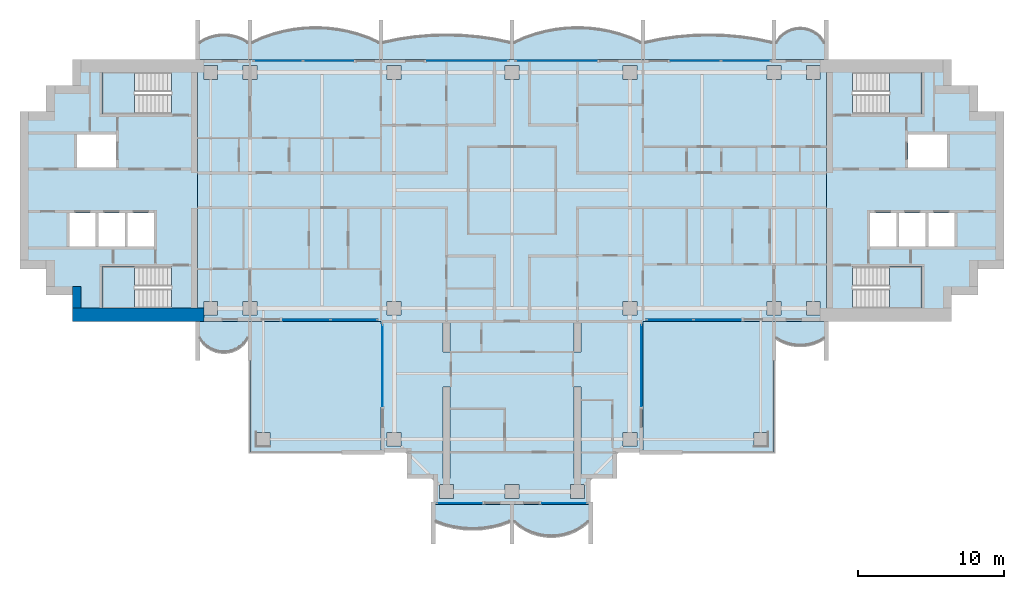
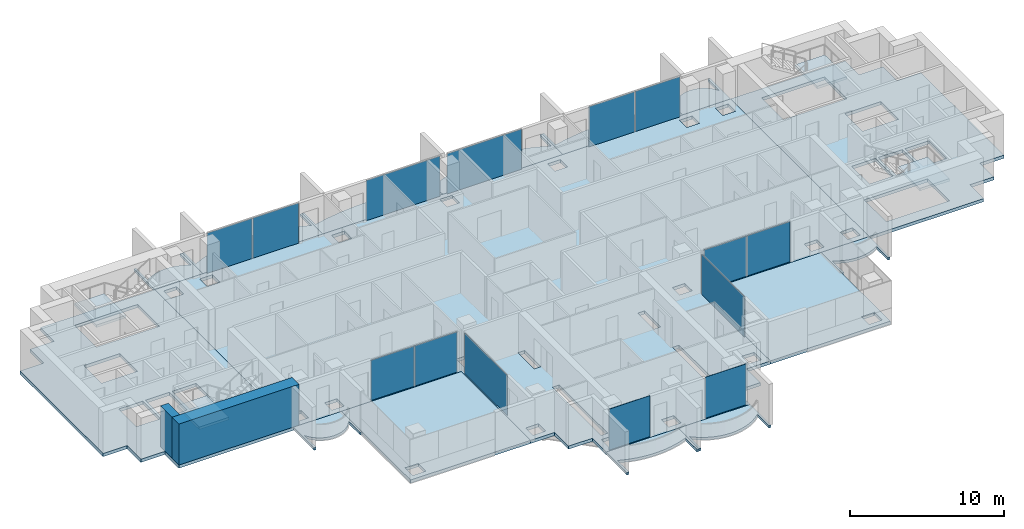
# One storey, part 7 of 17: 19 slabs, 14 plates, 2 walls, 14 elements without a shape of their own.
"""IFC4 building model written with IfcOpenShell, lengths in metres."""

import ifcopenshell
import ifcopenshell.guid

model = None  # the IFC model being written
_history = None  # IfcOwnerHistory: only IFC2X3 demands one
_inside = {}  # id of a spatial element -> (the spatial element, [elements in it])
_under = {}  # id of a project, library or spatial element -> (it, [spatial elements below it])
_declared = {}  # id of a project -> (the project, [libraries it declares])
_typed = {}  # id of a type object -> (the type object, [elements of that type])
_made_of = {}  # id of a material, layer set ... -> (it, [elements and type objects made of it])


def new_model(schema):
    """Start an empty IFC model of exactly this schema.

    Asked for "IFC4X3", IfcOpenShell would pick the latest addendum, in which some entities
    have other attributes; the version numbers below select the first issue.
    IFC2X3 requires an IfcOwnerHistory on every rooted entity: one is made here for all.
    """
    global model, _history
    if schema == "IFC4X3":
        model = ifcopenshell.file(schema_version=(4, 3, 0, 0))
    else:
        model = ifcopenshell.file(schema=schema)
    _inside.clear()
    _under.clear()
    _declared.clear()
    _typed.clear()
    _made_of.clear()
    _history = None
    if model.schema == "IFC2X3":
        org = make("IfcOrganization", Name="unknown")
        user = make(
            "IfcPersonAndOrganization",
            ThePerson=make("IfcPerson", FamilyName="unknown"),
            TheOrganization=org,
        )
        app = make(
            "IfcApplication",
            ApplicationDeveloper=org,
            Version="unknown",
            ApplicationFullName="unknown",
            ApplicationIdentifier="unknown",
        )
        _history = make(
            "IfcOwnerHistory",
            OwningUser=user,
            OwningApplication=app,
            ChangeAction="ADDED",
            CreationDate=0,
        )
    return model


def make(cls, **values):
    """One entity of the class cls with the attributes given. An attribute that is None is left unset."""
    return model.create_entity(
        cls, **{name: value for name, value in values.items() if value is not None}
    )


def rooted(cls, **values):
    """An entity with a GlobalId (a new one), such as an element, a storey or a relation."""
    return make(cls, GlobalId=ifcopenshell.guid.new(), OwnerHistory=_history, **values)


def si_unit(unit_type, name, prefix=None):
    """IfcSIUnit, for example si_unit("LENGTHUNIT", "METRE", prefix="MILLI")."""
    return make("IfcSIUnit", UnitType=unit_type, Prefix=prefix, Name=name)


def assignment(units):
    """IfcUnitAssignment: the units of a project."""
    return None if units is None else make("IfcUnitAssignment", Units=units)


def point(xyz):
    """IfcCartesianPoint."""
    return None if xyz is None else make("IfcCartesianPoint", Coordinates=xyz)


def direction(xyz):
    """IfcDirection."""
    return None if xyz is None else make("IfcDirection", DirectionRatios=xyz)


def frame(location, z_axis=None, x_axis=None):
    """IfcAxis2Placement3D, a coordinate frame: its origin and axes. An axis left out is left unset."""
    return make(
        "IfcAxis2Placement3D",
        Location=point(location),
        Axis=direction(z_axis),
        RefDirection=direction(x_axis),
    )


def frame_2d(location, x_axis=None):
    """IfcAxis2Placement2D, a coordinate frame in the plane: its origin and x axis."""
    return make(
        "IfcAxis2Placement2D", Location=point(location), RefDirection=direction(x_axis)
    )


def origin():
    """The frame at (0, 0, 0) with its axes left unset."""
    return frame((0.0, 0.0, 0.0))


def origin_2d():
    """The frame at (0, 0) in the plane with its x axis left unset."""
    return frame_2d((0.0, 0.0))


def place(relative_to, where):
    """IfcLocalPlacement: puts the frame where relative to a parent placement (None: the world)."""
    return make(
        "IfcLocalPlacement", PlacementRelTo=relative_to, RelativePlacement=where
    )


def context(
    kind, dimensions, precision=None, world=None, true_north=None, identifier=None
):
    """IfcGeometricRepresentationContext, for example the 3D "Model" context."""
    return make(
        "IfcGeometricRepresentationContext",
        ContextIdentifier=identifier,
        ContextType=kind,
        CoordinateSpaceDimension=dimensions,
        Precision=precision,
        WorldCoordinateSystem=world,
        TrueNorth=true_north,
    )


def subcontext(parent, identifier, kind, view, scale=None):
    """IfcGeometricRepresentationSubContext, for example "Body" below "Model"."""
    return make(
        "IfcGeometricRepresentationSubContext",
        ContextIdentifier=identifier,
        ContextType=kind,
        ParentContext=parent,
        TargetScale=scale,
        TargetView=view,
    )


def project(units=None, contexts=None):
    """IfcProject with its units and contexts."""
    return rooted(
        "IfcProject",
        Name="project",
        RepresentationContexts=contexts,
        UnitsInContext=assignment(units),
    )


def spatial(cls, under=None, at=None, **own):
    """A site, building, storey or space (cls), placed at a placement, below another one or the project."""
    s = rooted(cls, ObjectPlacement=at, **own)
    if under is not None:
        _under.setdefault(under.id(), (under, []))[1].append(s)
    return s


def polyline(points):
    """IfcPolyline through the points."""
    return make("IfcPolyline", Points=[point(p) for p in points])


def profile(cls, at=None, kind="AREA", **sizes):
    """A parametric profile (cls). Its sizes go by their IFC names, for example OverallWidth=200.0."""
    return make(cls, ProfileType=kind, Position=at, **sizes)


def rectangle(**sizes):
    """IfcRectangleProfileDef."""
    return profile("IfcRectangleProfileDef", **sizes)


def outline(outer, holes=None, kind="AREA"):
    """IfcArbitraryClosedProfileDef: a profile drawn as a closed curve; with holes, ...WithVoids."""
    if holes is None:
        return make("IfcArbitraryClosedProfileDef", ProfileType=kind, OuterCurve=outer)
    return make(
        "IfcArbitraryProfileDefWithVoids",
        ProfileType=kind,
        OuterCurve=outer,
        InnerCurves=holes,
    )


def extrude(swept, where, along, depth):
    """IfcExtrudedAreaSolid: the profile swept, set in the frame where, extruded along a direction by depth."""
    return make(
        "IfcExtrudedAreaSolid",
        SweptArea=swept,
        Position=where,
        ExtrudedDirection=direction(along),
        Depth=depth,
    )


def shape(context_of_items, identifier, shape_type, items):
    """IfcShapeRepresentation: the items that make up one representation, for example the "Body"."""
    return make(
        "IfcShapeRepresentation",
        ContextOfItems=context_of_items,
        RepresentationIdentifier=identifier,
        RepresentationType=shape_type,
        Items=items,
    )


def material(Name=None, Category=None):
    """IfcMaterial."""
    return make("IfcMaterial", Name=Name, Category=Category)


def layer(
    of_material, thickness, ventilated=None, Name=None, Category=None, Priority=None
):
    """IfcMaterialLayer: one layer of a wall or slab, of a material (None: an air gap)."""
    return make(
        "IfcMaterialLayer",
        Material=of_material,
        LayerThickness=thickness,
        IsVentilated=ventilated,
        Name=Name,
        Category=Category,
        Priority=Priority,
    )


def layer_set(layers, Name=None):
    """IfcMaterialLayerSet."""
    return make("IfcMaterialLayerSet", MaterialLayers=layers, LayerSetName=Name)


def made_of(thing, what):
    """Note that an element or type object is made of a material, layer set ...; save() writes the relation."""
    if what is not None:
        _made_of.setdefault(what.id(), (what, []))[1].append(thing)
    return thing


def type_object(cls, material=None, **own):
    """A type object (cls), such as IfcWallType, which elements share."""
    return made_of(rooted(cls, **own), material)


def element(
    cls,
    number,
    at=None,
    inside=None,
    cuts=None,
    type_object=None,
    material=None,
    context=None,
    identifier="Body",
    shape_type=None,
    held_by="IfcProductDefinitionShape",
    body=None,
    shapes=None,
    **own,
):
    """One element of the class cls, such as IfcWall. Its Tag is "e" and its number.

    at: its placement. inside: the storey or other place that contains it. cuts: it is an
    opening in that element (IfcRelVoidsElement). A single representation is given by context,
    identifier, shape_type and body (its items); several are given by shapes. held_by: the class
    of the entity that holds the representations. save() writes the other relations.
    """
    e = rooted(cls, Tag="e%d" % number, ObjectPlacement=at, **own)
    if body is not None:
        shapes = [shape(context, identifier, shape_type, body)]
    if shapes is not None:
        e.Representation = make(held_by, Representations=shapes)
    if inside is not None:
        _inside.setdefault(inside.id(), (inside, []))[1].append(e)
    if cuts is not None:
        rooted(
            "IfcRelVoidsElement", RelatingBuildingElement=cuts, RelatedOpeningElement=e
        )
    if type_object is not None:
        _typed.setdefault(type_object.id(), (type_object, []))[1].append(e)
    return made_of(e, material)


def aggregate(whole, parts):
    """IfcRelAggregates: a whole, such as a stair, and the parts it consists of."""
    return rooted("IfcRelAggregates", RelatingObject=whole, RelatedObjects=parts)


def save(model, path):
    """Write the relations noted so far, then the file.

    IfcRelAggregates (storeys below a building ...), IfcRelContainedInSpatialStructure (elements
    in a storey), IfcRelDefinesByType, IfcRelAssociatesMaterial and IfcRelDeclares: one each for
    every whole, place, type object, material and project.
    """
    for whole, parts in _under.values():
        aggregate(whole, parts)
    for where, things in _inside.values():
        rooted(
            "IfcRelContainedInSpatialStructure",
            RelatedElements=things,
            RelatingStructure=where,
        )
    for kind, things in _typed.values():
        rooted("IfcRelDefinesByType", RelatedObjects=things, RelatingType=kind)
    for what, things in _made_of.values():
        rooted("IfcRelAssociatesMaterial", RelatedObjects=things, RelatingMaterial=what)
    for by, libraries in _declared.values():
        rooted("IfcRelDeclares", RelatingContext=by, RelatedDefinitions=libraries)
    model.write(path)


model = new_model("IFC4")

# Units and contexts
model_context = context("Model", 3, precision=1e-05, world=origin(), true_north=direction((0.0, 1.0)))
body_context = subcontext(model_context, "Body", "Model", "MODEL_VIEW")
ifc_project = project(units=[si_unit("LENGTHUNIT", "METRE"), si_unit("AREAUNIT", "SQUARE_METRE"), si_unit("VOLUMEUNIT", "CUBIC_METRE"), si_unit("PLANEANGLEUNIT", "RADIAN"), si_unit("MASSUNIT", "GRAM", prefix="KILO")], contexts=[model_context])

# Site, building, storey
site_placement = place(None, origin())
site = spatial("IfcSite", under=ifc_project, at=site_placement, CompositionType="ELEMENT")
building_placement = place(site_placement, origin())
building = spatial("IfcBuilding", under=site, at=building_placement, Name="Perihelion Cross Residences", CompositionType="ELEMENT")
storey_placement = place(building_placement, frame((0.0, 0.0, 212.10009765625)))
storey = spatial("IfcBuildingStorey", under=building, at=storey_placement, Name="L53", CompositionType="ELEMENT", Elevation=212.10009765625)

# Slabs
ifc_material_1 = material(Name="Concrete C40/50", Category="concrete")
ifc_layer_1 = layer(ifc_material_1, 0.199951171875)
ifc_layer_set_1 = layer_set([ifc_layer_1], Name="Balcony slab 200")
slab_type_1 = type_object("IfcSlabType", Name="Balcony slab 200", PredefinedType="FLOOR", material=ifc_layer_set_1)
slab_1_placement = place(storey_placement, frame((0.0, 0.0, -0.2001953125)))
element("IfcSlab", 1, at=slab_1_placement, inside=storey, type_object=slab_type_1, Name="Slab BK1 L53 east side north bay 1 balcony", PredefinedType="FLOOR", context=body_context, shape_type="SweptSolid", body=[
    extrude(outline(polyline([(21.60009765625, 9.0), (18.0, 9.0), (18.0, 11.699951171875), (18.14990234375, 11.699951171875), (18.14990234375, 10.199951171875), (18.425048828125, 10.568603515625), (18.699951171875, 10.806396484375), (18.97509765625, 10.96875), (19.25, 11.07568359375), (19.52490234375, 11.136962890625), (19.800048828125, 11.156982421875), (20.074951171875, 11.136962890625), (20.35009765625, 11.07568359375), (20.625, 10.96875), (20.89990234375, 10.806396484375), (21.175048828125, 10.568603515625), (21.449951171875, 10.199951171875), (21.449951171875, 11.699951171875), (21.60009765625, 11.699951171875), (21.60009765625, 9.0)])), origin(), (0.0, 0.0, 1.0), 0.2001953125),
])
slab_2_placement = place(storey_placement, frame((0.0, 0.0, -0.2001953125)))
element("IfcSlab", 2, at=slab_2_placement, inside=storey, type_object=slab_type_1, Name="Slab BK1 L53 east side north bay 2 balcony", PredefinedType="FLOOR", context=body_context, shape_type="SweptSolid", body=[
    extrude(outline(polyline([(18.0, 9.0), (9.0, 9.0), (9.0, 11.699951171875), (9.14990234375, 11.699951171875), (9.14990234375, 10.199951171875), (10.237548828125, 10.42041015625), (11.324951171875, 10.576171875), (12.41259765625, 10.669189453125), (13.5, 10.699951171875), (14.58740234375, 10.669189453125), (15.675048828125, 10.576171875), (16.762451171875, 10.42041015625), (17.85009765625, 10.199951171875), (17.85009765625, 11.699951171875), (18.0, 11.699951171875), (18.0, 9.0)])), origin(), (0.0, 0.0, 1.0), 0.2001953125),
])
slab_3_placement = place(storey_placement, frame((0.0, 0.0, -0.2001953125)))
element("IfcSlab", 3, at=slab_3_placement, inside=storey, type_object=slab_type_1, Name="Slab BK1 L53 north side east bay 1 balcony", PredefinedType="FLOOR", context=body_context, shape_type="SweptSolid", body=[
    extrude(outline(polyline([(9.0, 9.0), (0.0, 9.0), (0.0, 11.699951171875), (0.14990234375, 11.699951171875), (0.14990234375, 10.199951171875), (0.875, 10.51708984375), (1.60009765625, 10.7685546875), (2.324951171875, 10.959716796875), (3.050048828125, 11.093994140625), (3.77490234375, 11.173583984375), (4.5, 11.199951171875), (5.22509765625, 11.173583984375), (5.949951171875, 11.093994140625), (6.675048828125, 10.959716796875), (7.39990234375, 10.7685546875), (8.125, 10.51708984375), (8.85009765625, 10.199951171875), (8.85009765625, 11.699951171875), (9.0, 11.699951171875), (9.0, 9.0)])), origin(), (0.0, 0.0, 1.0), 0.2001953125),
])
slab_4_placement = place(storey_placement, frame((0.0, 0.0, -0.2001953125)))
element("IfcSlab", 4, at=slab_4_placement, inside=storey, type_object=slab_type_1, Name="Slab BK1 L53 north side east bay 2 balcony", PredefinedType="FLOOR", context=body_context, shape_type="SweptSolid", body=[
    extrude(outline(polyline([(0.0, 9.0), (-9.0, 9.0), (-9.0, 11.699951171875), (-8.85009765625, 11.699951171875), (-8.85009765625, 10.199951171875), (-7.762451171875, 10.42041015625), (-6.675048828125, 10.576171875), (-5.58740234375, 10.669189453125), (-4.5, 10.699951171875), (-3.41259765625, 10.669189453125), (-2.324951171875, 10.576171875), (-1.237548828125, 10.42041015625), (-0.14990234375, 10.199951171875), (-0.14990234375, 11.699951171875), (0.0, 11.699951171875), (0.0, 9.0)])), origin(), (0.0, 0.0, 1.0), 0.2001953125),
])
slab_5_placement = place(storey_placement, frame((0.0, 0.0, -0.2001953125)))
element("IfcSlab", 5, at=slab_5_placement, inside=storey, type_object=slab_type_1, Name="Slab BK1 L53 west side north bay 1 balcony", PredefinedType="FLOOR", context=body_context, shape_type="SweptSolid", body=[
    extrude(outline(polyline([(-9.0, 9.0), (-18.0, 9.0), (-18.0, 11.699951171875), (-17.85009765625, 11.699951171875), (-17.85009765625, 10.199951171875), (-17.125, 10.51708984375), (-16.39990234375, 10.7685546875), (-15.675048828125, 10.959716796875), (-14.949951171875, 11.093994140625), (-14.22509765625, 11.173583984375), (-13.5, 11.199951171875), (-12.77490234375, 11.173583984375), (-12.050048828125, 11.093994140625), (-11.324951171875, 10.959716796875), (-10.60009765625, 10.7685546875), (-9.875, 10.51708984375), (-9.14990234375, 10.199951171875), (-9.14990234375, 11.699951171875), (-9.0, 11.699951171875), (-9.0, 9.0)])), origin(), (0.0, 0.0, 1.0), 0.2001953125),
])
slab_6_placement = place(storey_placement, frame((0.0, 0.0, -0.2001953125)))
element("IfcSlab", 6, at=slab_6_placement, inside=storey, type_object=slab_type_1, Name="Slab BK1 L53 west side north bay 2 balcony", PredefinedType="FLOOR", context=body_context, shape_type="SweptSolid", body=[
    extrude(outline(polyline([(-18.0, 9.0), (-21.60009765625, 9.0), (-21.60009765625, 11.699951171875), (-21.449951171875, 11.699951171875), (-21.449951171875, 10.199951171875), (-21.083251953125, 10.40869140625), (-20.716552734375, 10.55517578125), (-20.35009765625, 10.648681640625), (-19.9833984375, 10.6943359375), (-19.61669921875, 10.6943359375), (-19.25, 10.648681640625), (-18.88330078125, 10.55517578125), (-18.5166015625, 10.40869140625), (-18.14990234375, 10.199951171875), (-18.14990234375, 11.699951171875), (-18.0, 11.699951171875), (-18.0, 9.0)])), origin(), (0.0, 0.0, 1.0), 0.2001953125),
])
slab_7_placement = place(storey_placement, frame((0.0, 0.0, -0.2001953125)))
element("IfcSlab", 7, at=slab_7_placement, inside=storey, type_object=slab_type_1, Name="Slab BK1 L53 west side south bay 1 balcony", PredefinedType="FLOOR", context=body_context, shape_type="SweptSolid", body=[
    extrude(outline(polyline([(-21.60009765625, -9.0), (-18.0, -9.0), (-18.0, -11.699951171875), (-18.14990234375, -11.699951171875), (-18.14990234375, -10.199951171875), (-18.425048828125, -10.568603515625), (-18.699951171875, -10.806396484375), (-18.97509765625, -10.96875), (-19.25, -11.07568359375), (-19.52490234375, -11.136962890625), (-19.800048828125, -11.156982421875), (-20.074951171875, -11.136962890625), (-20.35009765625, -11.07568359375), (-20.625, -10.96875), (-20.89990234375, -10.806396484375), (-21.175048828125, -10.568603515625), (-21.449951171875, -10.199951171875), (-21.449951171875, -11.699951171875), (-21.60009765625, -11.699951171875), (-21.60009765625, -9.0)])), origin(), (0.0, 0.0, 1.0), 0.2001953125),
])
slab_8_placement = place(storey_placement, frame((0.0, 0.0, -0.2001953125)))
element("IfcSlab", 8, at=slab_8_placement, inside=storey, type_object=slab_type_1, Name="Slab BK1 L53 south tip south bay 1 balcony", PredefinedType="FLOOR", context=body_context, shape_type="SweptSolid", body=[
    extrude(outline(polyline([(-5.39990234375, -21.60009765625), (0.0, -21.60009765625), (0.0, -24.300048828125), (-0.14990234375, -24.300048828125), (-0.14990234375, -22.800048828125), (-0.78759765625, -23.0234375), (-1.425048828125, -23.178466796875), (-2.0625, -23.269775390625), (-2.699951171875, -23.300048828125), (-3.33740234375, -23.269775390625), (-3.97509765625, -23.178466796875), (-4.612548828125, -23.0234375), (-5.25, -22.800048828125), (-5.25, -24.300048828125), (-5.39990234375, -24.300048828125), (-5.39990234375, -21.60009765625)])), origin(), (0.0, 0.0, 1.0), 0.2001953125),
])
slab_9_placement = place(storey_placement, frame((0.0, 0.0, -0.2001953125)))
element("IfcSlab", 9, at=slab_9_placement, inside=storey, type_object=slab_type_1, Name="Slab BK1 L53 south tip south bay 2 balcony", PredefinedType="FLOOR", context=body_context, shape_type="SweptSolid", body=[
    extrude(outline(polyline([(0.0, -21.60009765625), (5.39990234375, -21.60009765625), (5.39990234375, -24.300048828125), (5.25, -24.300048828125), (5.25, -22.800048828125), (4.824951171875, -23.14013671875), (4.39990234375, -23.392578125), (3.97509765625, -23.57666015625), (3.550048828125, -23.702392578125), (3.125, -23.77587890625), (2.699951171875, -23.800048828125), (2.27490234375, -23.77587890625), (1.85009765625, -23.702392578125), (1.425048828125, -23.57666015625), (1.0, -23.392578125), (0.574951171875, -23.14013671875), (0.14990234375, -22.800048828125), (0.14990234375, -24.300048828125), (0.0, -24.300048828125), (0.0, -21.60009765625)])), origin(), (0.0, 0.0, 1.0), 0.2001953125),
])
slab_10_placement = place(storey_placement, frame((0.0, 0.0, -0.2001953125)))
element("IfcSlab", 10, at=slab_10_placement, inside=storey, type_object=slab_type_1, Name="Slab BK1 L53 east side south bay 2 balcony", PredefinedType="FLOOR", context=body_context, shape_type="SweptSolid", body=[
    extrude(outline(polyline([(18.0, -9.0), (21.60009765625, -9.0), (21.60009765625, -11.699951171875), (21.449951171875, -11.699951171875), (21.449951171875, -10.199951171875), (21.083251953125, -10.40869140625), (20.716552734375, -10.55517578125), (20.35009765625, -10.648681640625), (19.9833984375, -10.6943359375), (19.61669921875, -10.6943359375), (19.25, -10.648681640625), (18.88330078125, -10.55517578125), (18.5166015625, -10.40869140625), (18.14990234375, -10.199951171875), (18.14990234375, -11.699951171875), (18.0, -11.699951171875), (18.0, -9.0)])), origin(), (0.0, 0.0, 1.0), 0.2001953125),
])

# Curtain wall, plates
ifc_material_2 = material(Name="Bronze anodised aluminium, tinted glazing", Category="aluminium")
curtain_wall_type = type_object("IfcCurtainWallType", Name="CW1", PredefinedType="NOTDEFINED", material=ifc_material_2)
curtain_wall_1_placement = place(storey_placement, origin())
curtain_wall_1 = element("IfcCurtainWall", 11, at=curtain_wall_1_placement, inside=storey, type_object=curtain_wall_type, Name="Curtain wall CW1 L53 east side north bay 2", PredefinedType="NOTDEFINED")
ifc_material_3 = material(Name="Tinted laminated glass", Category="glass")
ifc_layer_2 = layer(ifc_material_3, 0.028076171875)
ifc_layer_set_2 = layer_set([ifc_layer_2], Name="CW1 panel")
plate_type = type_object("IfcPlateType", Name="CW1 panel", PredefinedType="CURTAIN_PANEL", material=ifc_layer_set_2)
plate_1_placement = place(storey_placement, frame((16.06005859375, 8.89990234375, 0.0), z_axis=(0.0, 0.0, 1.0), x_axis=(-1.0, 0.0, 0.0)))
plate_1 = element("IfcPlate", 12, at=plate_1_placement, type_object=plate_type, Name="CW1 panel 1", PredefinedType="CURTAIN_PANEL", context=body_context, shape_type="SweptSolid", body=[
    extrude(rectangle(XDim=3.360107421875, YDim=0.028076171875, at=origin_2d()), origin(), (0.0, 0.0, 1.0), 3.18994140625),
])
plate_2_placement = place(storey_placement, frame((12.610107421875, 8.89990234375, 0.0), z_axis=(0.0, 0.0, 1.0), x_axis=(-1.0, 0.0, 0.0)))
plate_2 = element("IfcPlate", 13, at=plate_2_placement, type_object=plate_type, Name="CW1 panel 2", PredefinedType="CURTAIN_PANEL", context=body_context, shape_type="SweptSolid", body=[
    extrude(rectangle(XDim=3.419921875, YDim=0.028076171875, at=origin_2d()), origin(), (0.0, 0.0, 1.0), 3.18994140625),
])
aggregate(curtain_wall_1, [plate_1, plate_2])

# Curtain wall, plate
curtain_wall_2_placement = place(storey_placement, origin())
curtain_wall_2 = element("IfcCurtainWall", 14, at=curtain_wall_2_placement, inside=storey, type_object=curtain_wall_type, Name="Curtain wall CW1 L53 north side east bay 1", PredefinedType="NOTDEFINED")
plate_3_placement = place(storey_placement, frame((3.04248046875, 8.89990234375, 0.0), z_axis=(0.0, 0.0, 1.0), x_axis=(-1.0, 0.0, 0.0)))
plate_3 = element("IfcPlate", 15, at=plate_3_placement, type_object=plate_type, Name="CW1 panel 1", PredefinedType="CURTAIN_PANEL", context=body_context, shape_type="SweptSolid", body=[
    extrude(rectangle(XDim=5.56494140625, YDim=0.028076171875, at=origin_2d()), origin(), (0.0, 0.0, 1.0), 3.18994140625),
])
aggregate(curtain_wall_2, [plate_3])

curtain_wall_3_placement = place(storey_placement, origin())
curtain_wall_3 = element("IfcCurtainWall", 16, at=curtain_wall_3_placement, inside=storey, type_object=curtain_wall_type, Name="Curtain wall CW1 L53 north side east bay 2", PredefinedType="NOTDEFINED")
plate_4_placement = place(storey_placement, frame((-3.04248046875, 8.89990234375, 0.0), z_axis=(0.0, 0.0, 1.0), x_axis=(-1.0, 0.0, 0.0)))
plate_4 = element("IfcPlate", 17, at=plate_4_placement, type_object=plate_type, Name="CW1 panel 1", PredefinedType="CURTAIN_PANEL", context=body_context, shape_type="SweptSolid", body=[
    extrude(rectangle(XDim=5.56494140625, YDim=0.028076171875, at=origin_2d()), origin(), (0.0, 0.0, 1.0), 3.18994140625),
])
aggregate(curtain_wall_3, [plate_4])

# Curtain wall, plates
curtain_wall_4_placement = place(storey_placement, origin())
curtain_wall_4 = element("IfcCurtainWall", 18, at=curtain_wall_4_placement, inside=storey, type_object=curtain_wall_type, Name="Curtain wall CW1 L53 west side north bay 1", PredefinedType="NOTDEFINED")
plate_5_placement = place(storey_placement, frame((-12.610107421875, 8.89990234375, 0.0), z_axis=(0.0, 0.0, 1.0), x_axis=(-1.0, 0.0, 0.0)))
plate_5 = element("IfcPlate", 19, at=plate_5_placement, type_object=plate_type, Name="CW1 panel 1", PredefinedType="CURTAIN_PANEL", context=body_context, shape_type="SweptSolid", body=[
    extrude(rectangle(XDim=3.419921875, YDim=0.028076171875, at=origin_2d()), origin(), (0.0, 0.0, 1.0), 3.18994140625),
])
plate_6_placement = place(storey_placement, frame((-16.06005859375, 8.89990234375, 0.0), z_axis=(0.0, 0.0, 1.0), x_axis=(-1.0, 0.0, 0.0)))
plate_6 = element("IfcPlate", 20, at=plate_6_placement, type_object=plate_type, Name="CW1 panel 2", PredefinedType="CURTAIN_PANEL", context=body_context, shape_type="SweptSolid", body=[
    extrude(rectangle(XDim=3.360107421875, YDim=0.028076171875, at=origin_2d()), origin(), (0.0, 0.0, 1.0), 3.18994140625),
])
aggregate(curtain_wall_4, [plate_5, plate_6])

curtain_wall_5_placement = place(storey_placement, origin())
curtain_wall_5 = element("IfcCurtainWall", 21, at=curtain_wall_5_placement, inside=storey, type_object=curtain_wall_type, Name="Curtain wall CW1 L53 west side south bay 2", PredefinedType="NOTDEFINED")
plate_7_placement = place(storey_placement, frame((-14.108642578125, -8.89990234375, 0.0), z_axis=(0.0, 0.0, 1.0), x_axis=(1.0, 0.0, 0.0)))
plate_7 = element("IfcPlate", 22, at=plate_7_placement, type_object=plate_type, Name="CW1 panel 1", PredefinedType="CURTAIN_PANEL", context=body_context, shape_type="SweptSolid", body=[
    extrude(rectangle(XDim=3.232421875, YDim=0.028076171875, at=origin_2d()), origin(), (0.0, 0.0, 1.0), 3.18994140625),
])
plate_8_placement = place(storey_placement, frame((-10.84619140625, -8.89990234375, 0.0), z_axis=(0.0, 0.0, 1.0), x_axis=(1.0, 0.0, 0.0)))
plate_8 = element("IfcPlate", 23, at=plate_8_placement, type_object=plate_type, Name="CW1 panel 2", PredefinedType="CURTAIN_PANEL", context=body_context, shape_type="SweptSolid", body=[
    extrude(rectangle(XDim=3.172607421875, YDim=0.028076171875, at=origin_2d()), origin(), (0.0, 0.0, 1.0), 3.18994140625),
])
aggregate(curtain_wall_5, [plate_7, plate_8])

# Curtain wall, plate
curtain_wall_6_placement = place(storey_placement, origin())
curtain_wall_6 = element("IfcCurtainWall", 24, at=curtain_wall_6_placement, inside=storey, type_object=curtain_wall_type, Name="Curtain wall CW1 L53 south side west bay 1", PredefinedType="NOTDEFINED")
plate_9_placement = place(storey_placement, frame((-8.89990234375, -12.04248046875, 0.0), z_axis=(0.0, 0.0, 1.0), x_axis=(0.0, -1.0, 0.0)))
plate_9 = element("IfcPlate", 25, at=plate_9_placement, type_object=plate_type, Name="CW1 panel 1", PredefinedType="CURTAIN_PANEL", context=body_context, shape_type="SweptSolid", body=[
    extrude(rectangle(XDim=5.56494140625, YDim=0.028076171875, at=origin_2d()), origin(), (0.0, 0.0, 1.0), 3.18994140625),
])
aggregate(curtain_wall_6, [plate_9])

curtain_wall_7_placement = place(storey_placement, origin())
curtain_wall_7 = element("IfcCurtainWall", 26, at=curtain_wall_7_placement, inside=storey, type_object=curtain_wall_type, Name="Curtain wall CW1 L53 south tip south bay 1", PredefinedType="NOTDEFINED")
plate_10_placement = place(storey_placement, frame((-3.607421875, -21.5, 0.0), z_axis=(0.0, 0.0, 1.0), x_axis=(1.0, 0.0, 0.0)))
plate_10 = element("IfcPlate", 27, at=plate_10_placement, type_object=plate_type, Name="CW1 panel 1", PredefinedType="CURTAIN_PANEL", context=body_context, shape_type="SweptSolid", body=[
    extrude(rectangle(XDim=3.06494140625, YDim=0.028076171875, at=origin_2d()), origin(), (0.0, 0.0, 1.0), 3.25),
])
aggregate(curtain_wall_7, [plate_10])

curtain_wall_8_placement = place(storey_placement, origin())
curtain_wall_8 = element("IfcCurtainWall", 28, at=curtain_wall_8_placement, inside=storey, type_object=curtain_wall_type, Name="Curtain wall CW1 L53 south tip south bay 2", PredefinedType="NOTDEFINED")
plate_11_placement = place(storey_placement, frame((3.607421875, -21.5, 0.0), z_axis=(0.0, 0.0, 1.0), x_axis=(1.0, 0.0, 0.0)))
plate_11 = element("IfcPlate", 29, at=plate_11_placement, type_object=plate_type, Name="CW1 panel 1", PredefinedType="CURTAIN_PANEL", context=body_context, shape_type="SweptSolid", body=[
    extrude(rectangle(XDim=3.06494140625, YDim=0.028076171875, at=origin_2d()), origin(), (0.0, 0.0, 1.0), 3.25),
])
aggregate(curtain_wall_8, [plate_11])

curtain_wall_9_placement = place(storey_placement, origin())
curtain_wall_9 = element("IfcCurtainWall", 30, at=curtain_wall_9_placement, inside=storey, type_object=curtain_wall_type, Name="Curtain wall CW1 L53 south side east bay 1", PredefinedType="NOTDEFINED")
plate_12_placement = place(storey_placement, frame((8.89990234375, -12.04248046875, 0.0), z_axis=(0.0, 0.0, 1.0), x_axis=(0.0, 1.0, 0.0)))
plate_12 = element("IfcPlate", 31, at=plate_12_placement, type_object=plate_type, Name="CW1 panel 1", PredefinedType="CURTAIN_PANEL", context=body_context, shape_type="SweptSolid", body=[
    extrude(rectangle(XDim=5.56494140625, YDim=0.028076171875, at=origin_2d()), origin(), (0.0, 0.0, 1.0), 3.18994140625),
])
aggregate(curtain_wall_9, [plate_12])

# Curtain wall, plates
curtain_wall_10_placement = place(storey_placement, origin())
curtain_wall_10 = element("IfcCurtainWall", 32, at=curtain_wall_10_placement, inside=storey, type_object=curtain_wall_type, Name="Curtain wall CW1 L53 east side south bay 1", PredefinedType="NOTDEFINED")
plate_13_placement = place(storey_placement, frame((10.84619140625, -8.89990234375, 0.0), z_axis=(0.0, 0.0, 1.0), x_axis=(1.0, 0.0, 0.0)))
plate_13 = element("IfcPlate", 33, at=plate_13_placement, type_object=plate_type, Name="CW1 panel 1", PredefinedType="CURTAIN_PANEL", context=body_context, shape_type="SweptSolid", body=[
    extrude(rectangle(XDim=3.172607421875, YDim=0.028076171875, at=origin_2d()), origin(), (0.0, 0.0, 1.0), 3.18994140625),
])
plate_14_placement = place(storey_placement, frame((14.108642578125, -8.89990234375, 0.0), z_axis=(0.0, 0.0, 1.0), x_axis=(1.0, 0.0, 0.0)))
plate_14 = element("IfcPlate", 34, at=plate_14_placement, type_object=plate_type, Name="CW1 panel 2", PredefinedType="CURTAIN_PANEL", context=body_context, shape_type="SweptSolid", body=[
    extrude(rectangle(XDim=3.232421875, YDim=0.028076171875, at=origin_2d()), origin(), (0.0, 0.0, 1.0), 3.18994140625),
])
aggregate(curtain_wall_10, [plate_13, plate_14])

# Slabs
ifc_material_4 = material(Name="Concrete C40/50", Category="concrete")
ifc_layer_3 = layer(ifc_material_4, 0.25)
ifc_layer_set_3 = layer_set([ifc_layer_3], Name="Core floor slab 250")
slab_type_2 = type_object("IfcSlabType", Name="Core floor slab 250", PredefinedType="FLOOR", material=ifc_layer_set_3)
slab_11_placement = place(storey_placement, frame((0.0, 0.0, -0.25)))
element("IfcSlab", 35, at=slab_11_placement, inside=storey, type_object=slab_type_2, Name="East core floor slab", PredefinedType="FLOOR", context=body_context, shape_type="SweptSolid", body=[
    extrude(outline(polyline([(30.199951171875, 7.199951171875), (32.0, 7.199951171875), (32.0, 5.39990234375), (33.800048828125, 5.39990234375), (33.800048828125, -5.39990234375), (32.0, -5.39990234375), (32.0, -7.199951171875), (30.199951171875, -7.199951171875), (30.199951171875, -9.0), (21.60009765625, -9.0), (21.60009765625, 9.0), (30.199951171875, 9.0), (30.199951171875, 7.199951171875)]), holes=[polyline([(28.14990234375, -8.10009765625), (28.14990234375, -5.25), (23.405029296875, -5.25), (23.405029296875, -8.10009765625), (28.14990234375, -8.10009765625)]), polyline([(24.60009765625, -1.550048828125), (24.60009765625, -3.85009765625), (26.39990234375, -3.85009765625), (26.39990234375, -1.550048828125), (24.60009765625, -1.550048828125)]), polyline([(26.60009765625, -1.550048828125), (26.60009765625, -3.85009765625), (28.39990234375, -3.85009765625), (28.39990234375, -1.550048828125), (26.60009765625, -1.550048828125)]), polyline([(28.60009765625, -3.85009765625), (30.39990234375, -3.85009765625), (30.39990234375, -1.550048828125), (28.60009765625, -1.550048828125), (28.60009765625, -3.85009765625)]), polyline([(27.199951171875, 3.85009765625), (27.199951171875, 1.550048828125), (29.89990234375, 1.550048828125), (29.89990234375, 3.85009765625), (27.199951171875, 3.85009765625)]), polyline([(23.405029296875, 5.25), (28.14990234375, 5.25), (28.14990234375, 8.10009765625), (23.405029296875, 8.10009765625), (23.405029296875, 5.25)])]), origin(), (0.0, 0.0, 1.0), 0.25),
])
slab_12_placement = place(storey_placement, frame((0.0, 0.0, -0.25)))
element("IfcSlab", 36, at=slab_12_placement, inside=storey, type_object=slab_type_2, Name="West core floor slab", PredefinedType="FLOOR", context=body_context, shape_type="SweptSolid", body=[
    extrude(outline(polyline([(-30.199951171875, 7.199951171875), (-32.0, 7.199951171875), (-32.0, 5.39990234375), (-33.800048828125, 5.39990234375), (-33.800048828125, -5.39990234375), (-32.0, -5.39990234375), (-32.0, -7.199951171875), (-30.199951171875, -7.199951171875), (-30.199951171875, -9.0), (-21.60009765625, -9.0), (-21.60009765625, 9.0), (-30.199951171875, 9.0), (-30.199951171875, 7.199951171875)]), holes=[polyline([(-28.14990234375, -8.10009765625), (-28.14990234375, -5.25), (-23.405029296875, -5.25), (-23.405029296875, -8.10009765625), (-28.14990234375, -8.10009765625)]), polyline([(-24.60009765625, -1.550048828125), (-24.60009765625, -3.85009765625), (-26.39990234375, -3.85009765625), (-26.39990234375, -1.550048828125), (-24.60009765625, -1.550048828125)]), polyline([(-26.60009765625, -1.550048828125), (-26.60009765625, -3.85009765625), (-28.39990234375, -3.85009765625), (-28.39990234375, -1.550048828125), (-26.60009765625, -1.550048828125)]), polyline([(-28.60009765625, -3.85009765625), (-30.39990234375, -3.85009765625), (-30.39990234375, -1.550048828125), (-28.60009765625, -1.550048828125), (-28.60009765625, -3.85009765625)]), polyline([(-27.199951171875, 3.85009765625), (-27.199951171875, 1.550048828125), (-29.89990234375, 1.550048828125), (-29.89990234375, 3.85009765625), (-27.199951171875, 3.85009765625)]), polyline([(-23.405029296875, 5.25), (-28.14990234375, 5.25), (-28.14990234375, 8.10009765625), (-23.405029296875, 8.10009765625), (-23.405029296875, 5.25)])]), origin(), (0.0, 0.0, 1.0), 0.25),
])
ifc_material_5 = material(Name="Concrete C40/50", Category="concrete")
ifc_layer_4 = layer(ifc_material_5, 0.25)
ifc_layer_set_4 = layer_set([ifc_layer_4], Name="Corner terrace slab")
slab_type_3 = type_object("IfcSlabType", Name="Corner terrace slab", PredefinedType="FLOOR", material=ifc_layer_set_4)
slab_13_placement = place(storey_placement, frame((0.0, 0.0, -0.25)))
element("IfcSlab", 37, at=slab_13_placement, inside=storey, type_object=slab_type_3, Name="Slab BK2 L53 pocket south-west", PredefinedType="FLOOR", context=body_context, shape_type="SweptSolid", body=[
    extrude(outline(polyline([(-9.0, -18.0), (-9.0, -9.0), (-18.0, -9.0), (-18.0, -18.0), (-9.0, -18.0)]), holes=[polyline([(-16.625, -17.614990234375), (-17.614990234375, -17.614990234375), (-17.614990234375, -16.5849609375), (-17.574951171875, -16.5849609375), (-17.574951171875, -16.625), (-16.625, -16.625), (-16.625, -17.614990234375)])]), origin(), (0.0, 0.0, 1.0), 0.25),
])
slab_14_placement = place(storey_placement, frame((0.0, 0.0, -0.25)))
element("IfcSlab", 38, at=slab_14_placement, inside=storey, type_object=slab_type_3, Name="Slab BK2 L53 pocket south-east", PredefinedType="FLOOR", context=body_context, shape_type="SweptSolid", body=[
    extrude(outline(polyline([(18.0, -18.0), (18.0, -9.0), (9.0, -9.0), (9.0, -18.0), (18.0, -18.0)]), holes=[polyline([(16.625, -17.614990234375), (16.625, -16.625), (17.574951171875, -16.625), (17.574951171875, -16.5849609375), (17.614990234375, -16.5849609375), (17.614990234375, -17.614990234375), (16.625, -17.614990234375)])]), origin(), (0.0, 0.0, 1.0), 0.25),
])

# Stair, slab
ifc_material_6 = material(Name="Concrete C40/50", Category="concrete")
stair_type = type_object("IfcStairType", Name="Exit stair, half-turn", PredefinedType="HALF_TURN_STAIR", material=ifc_material_6)
stair_1_placement = place(storey_placement, origin())
stair_1 = element("IfcStair", 39, at=stair_1_placement, inside=storey, type_object=stair_type, Name="L53 East core exit stair 1", PredefinedType="HALF_TURN_STAIR")
ifc_material_7 = material(Name="Concrete C40/50", Category="concrete")
ifc_layer_5 = layer(ifc_material_7, 0.199951171875)
ifc_layer_set_5 = layer_set([ifc_layer_5], Name="Exit stair landing 200")
slab_type_4 = type_object("IfcSlabType", Name="Exit stair landing 200", PredefinedType="LANDING", material=ifc_layer_set_5)
slab_15_placement = place(storey_placement, frame((0.0, 0.0, 1.5498046875)))
slab_15 = element("IfcSlab", 40, at=slab_15_placement, type_object=slab_type_4, Name="ST-E1 landing 1", PredefinedType="LANDING", context=body_context, shape_type="SweptSolid", body=[
    extrude(outline(polyline([(25.919921875, 5.25), (28.14990234375, 5.25), (28.14990234375, 8.10009765625), (25.919921875, 8.10009765625), (25.919921875, 5.25)])), origin(), (0.0, 0.0, 1.0), 0.2001953125),
])
aggregate(stair_1, [slab_15])

stair_2_placement = place(storey_placement, origin())
stair_2 = element("IfcStair", 41, at=stair_2_placement, inside=storey, type_object=stair_type, Name="L53 East core exit stair 2", PredefinedType="HALF_TURN_STAIR")
slab_16_placement = place(storey_placement, frame((0.0, 0.0, 1.5498046875)))
slab_16 = element("IfcSlab", 42, at=slab_16_placement, type_object=slab_type_4, Name="ST-E2 landing 1", PredefinedType="LANDING", context=body_context, shape_type="SweptSolid", body=[
    extrude(outline(polyline([(25.919921875, -8.10009765625), (28.14990234375, -8.10009765625), (28.14990234375, -5.25), (25.919921875, -5.25), (25.919921875, -8.10009765625)])), origin(), (0.0, 0.0, 1.0), 0.2001953125),
])
aggregate(stair_2, [slab_16])

stair_3_placement = place(storey_placement, origin())
stair_3 = element("IfcStair", 43, at=stair_3_placement, inside=storey, type_object=stair_type, Name="L53 West core exit stair 1", PredefinedType="HALF_TURN_STAIR")
slab_17_placement = place(storey_placement, frame((0.0, 0.0, 1.5498046875)))
slab_17 = element("IfcSlab", 44, at=slab_17_placement, type_object=slab_type_4, Name="ST-W1 landing 1", PredefinedType="LANDING", context=body_context, shape_type="SweptSolid", body=[
    extrude(outline(polyline([(-25.919921875, 8.10009765625), (-28.14990234375, 8.10009765625), (-28.14990234375, 5.25), (-25.919921875, 5.25), (-25.919921875, 8.10009765625)])), origin(), (0.0, 0.0, 1.0), 0.2001953125),
])
aggregate(stair_3, [slab_17])

stair_4_placement = place(storey_placement, origin())
stair_4 = element("IfcStair", 45, at=stair_4_placement, inside=storey, type_object=stair_type, Name="L53 West core exit stair 2", PredefinedType="HALF_TURN_STAIR")
slab_18_placement = place(storey_placement, frame((0.0, 0.0, 1.5498046875)))
slab_18 = element("IfcSlab", 46, at=slab_18_placement, type_object=slab_type_4, Name="ST-W2 landing 1", PredefinedType="LANDING", context=body_context, shape_type="SweptSolid", body=[
    extrude(outline(polyline([(-25.919921875, -5.25), (-28.14990234375, -5.25), (-28.14990234375, -8.10009765625), (-25.919921875, -8.10009765625), (-25.919921875, -5.25)])), origin(), (0.0, 0.0, 1.0), 0.2001953125),
])
aggregate(stair_4, [slab_18])

# Slab
ifc_material_8 = material(Name="Concrete C50/60", Category="concrete")
ifc_layer_6 = layer(ifc_material_8, 0.25)
ifc_layer_set_6 = layer_set([ifc_layer_6], Name="Residential floor post-tensioned slab concrete C50/60")
slab_type_5 = type_object("IfcSlabType", Name="Residential floor post-tensioned slab concrete C50/60", PredefinedType="FLOOR", material=ifc_layer_set_6)
slab_19_placement = place(storey_placement, frame((0.0, 0.0, -0.25)))
element("IfcSlab", 47, at=slab_19_placement, inside=storey, type_object=slab_type_5, Name="Slab SL8 L53 1 no. 1", PredefinedType="FLOOR", context=body_context, shape_type="SweptSolid", body=[
    extrude(outline(polyline([(-9.0, 9.0), (9.0, 9.0), (21.60009765625, 9.0), (21.60009765625, -9.0), (9.0, -9.0), (9.0, -18.0), (7.199951171875, -18.0), (7.199951171875, -19.800048828125), (5.39990234375, -19.800048828125), (5.39990234375, -21.60009765625), (-5.39990234375, -21.60009765625), (-5.39990234375, -19.800048828125), (-7.199951171875, -19.800048828125), (-7.199951171875, -18.0), (-9.0, -18.0), (-9.0, -9.0), (-21.60009765625, -9.0), (-21.60009765625, 9.0), (-9.0, 9.0)]), holes=[polyline([(-4.02490234375, -20.22509765625), (-4.97509765625, -20.22509765625), (-4.97509765625, -21.175048828125), (-4.02490234375, -21.175048828125), (-4.02490234375, -20.22509765625)]), polyline([(0.47509765625, -21.175048828125), (0.47509765625, -20.22509765625), (-0.47509765625, -20.22509765625), (-0.47509765625, -21.175048828125), (0.47509765625, -21.175048828125)]), polyline([(-7.625, -17.574951171875), (-7.625, -16.625), (-8.574951171875, -16.625), (-8.574951171875, -17.574951171875), (-7.625, -17.574951171875)]), polyline([(-4.25, -13.5), (-4.75, -13.5), (-4.75, -19.800048828125), (-4.25, -19.800048828125), (-4.25, -13.5)]), polyline([(-4.25, -11.10009765625), (-4.25, -9.0), (-4.75, -9.0), (-4.75, -11.10009765625), (-4.25, -11.10009765625)]), polyline([(-20.22509765625, -8.574951171875), (-20.22509765625, -7.625), (-21.175048828125, -7.625), (-21.175048828125, -8.574951171875), (-20.22509765625, -8.574951171875)]), polyline([(-17.52490234375, -7.625), (-18.47509765625, -7.625), (-18.47509765625, -8.574951171875), (-17.52490234375, -8.574951171875), (-17.52490234375, -7.625)]), polyline([(-7.625, -8.574951171875), (-7.625, -7.625), (-8.574951171875, -7.625), (-8.574951171875, -8.574951171875), (-7.625, -8.574951171875)]), polyline([(-20.22509765625, 8.574951171875), (-21.175048828125, 8.574951171875), (-21.175048828125, 7.625), (-20.22509765625, 7.625), (-20.22509765625, 8.574951171875)]), polyline([(-17.52490234375, 7.625), (-17.52490234375, 8.574951171875), (-18.47509765625, 8.574951171875), (-18.47509765625, 7.625), (-17.52490234375, 7.625)]), polyline([(-7.625, 7.625), (-7.625, 8.574951171875), (-8.574951171875, 8.574951171875), (-8.574951171875, 7.625), (-7.625, 7.625)]), polyline([(4.97509765625, -20.22509765625), (4.02490234375, -20.22509765625), (4.02490234375, -21.175048828125), (4.97509765625, -21.175048828125), (4.97509765625, -20.22509765625)]), polyline([(8.574951171875, -17.574951171875), (8.574951171875, -16.625), (7.625, -16.625), (7.625, -17.574951171875), (8.574951171875, -17.574951171875)]), polyline([(4.75, -19.800048828125), (4.75, -13.5), (4.25, -13.5), (4.25, -19.800048828125), (4.75, -19.800048828125)]), polyline([(4.75, -9.0), (4.25, -9.0), (4.25, -11.10009765625), (4.75, -11.10009765625), (4.75, -9.0)]), polyline([(8.574951171875, -8.574951171875), (8.574951171875, -7.625), (7.625, -7.625), (7.625, -8.574951171875), (8.574951171875, -8.574951171875)]), polyline([(18.47509765625, -8.574951171875), (18.47509765625, -7.625), (17.52490234375, -7.625), (17.52490234375, -8.574951171875), (18.47509765625, -8.574951171875)]), polyline([(21.175048828125, -7.625), (20.22509765625, -7.625), (20.22509765625, -8.574951171875), (21.175048828125, -8.574951171875), (21.175048828125, -7.625)]), polyline([(0.47509765625, 7.625), (0.47509765625, 8.574951171875), (-0.47509765625, 8.574951171875), (-0.47509765625, 7.625), (0.47509765625, 7.625)]), polyline([(8.574951171875, 8.574951171875), (7.625, 8.574951171875), (7.625, 7.625), (8.574951171875, 7.625), (8.574951171875, 8.574951171875)]), polyline([(18.47509765625, 7.625), (18.47509765625, 8.574951171875), (17.52490234375, 8.574951171875), (17.52490234375, 7.625), (18.47509765625, 7.625)]), polyline([(21.175048828125, 7.625), (21.175048828125, 8.574951171875), (20.22509765625, 8.574951171875), (20.22509765625, 7.625), (21.175048828125, 7.625)])]), origin(), (0.0, 0.0, 1.0), 0.25),
])

# Walls
ifc_material_9 = material(Name="Concrete C60/75", Category="concrete")
ifc_layer_7 = layer(ifc_material_9, 0.60009765625)
ifc_layer_set_7 = layer_set([ifc_layer_7], Name="Core wall, outer 600")
wall_type_1 = type_object("IfcWallType", Name="Core wall, outer 600", PredefinedType="SHEAR", material=ifc_layer_set_7)
wall_1_placement = place(storey_placement, frame((-29.89990234375, -8.10009765625, 0.0), z_axis=(0.0, 0.0, 1.0), x_axis=(0.0, 1.0, 0.0)))
element("IfcWall", 48, at=wall_1_placement, inside=storey, type_object=wall_type_1, Name="West core core wall, outer", PredefinedType="SHEAR", context=body_context, shape_type="SweptSolid", body=[
    extrude(rectangle(XDim=1.5, YDim=0.60009765625, at=frame_2d((0.75, 0.0))), origin(), (0.0, 0.0, 1.0), 3.25),
])
ifc_material_10 = material(Name="Concrete C60/75", Category="concrete")
ifc_layer_8 = layer(ifc_material_10, 0.89990234375)
ifc_layer_set_8 = layer_set([ifc_layer_8], Name="Core wall, outer 900")
wall_type_2 = type_object("IfcWallType", Name="Core wall, outer 900", PredefinedType="SHEAR", material=ifc_layer_set_8)
wall_2_placement = place(storey_placement, frame((-30.199951171875, -8.550048828125, 0.0), z_axis=(0.0, 0.0, 1.0), x_axis=(1.0, 0.0, 0.0)))
element("IfcWall", 49, at=wall_2_placement, inside=storey, type_object=wall_type_2, Name="West core core wall, outer", PredefinedType="SHEAR", context=body_context, shape_type="SweptSolid", body=[
    extrude(rectangle(XDim=9.02490234375, YDim=0.89990234375, at=frame_2d((4.512451171875, 0.0))), origin(), (0.0, 0.0, 1.0), 3.25),
])

save(model, "model.ifc")
